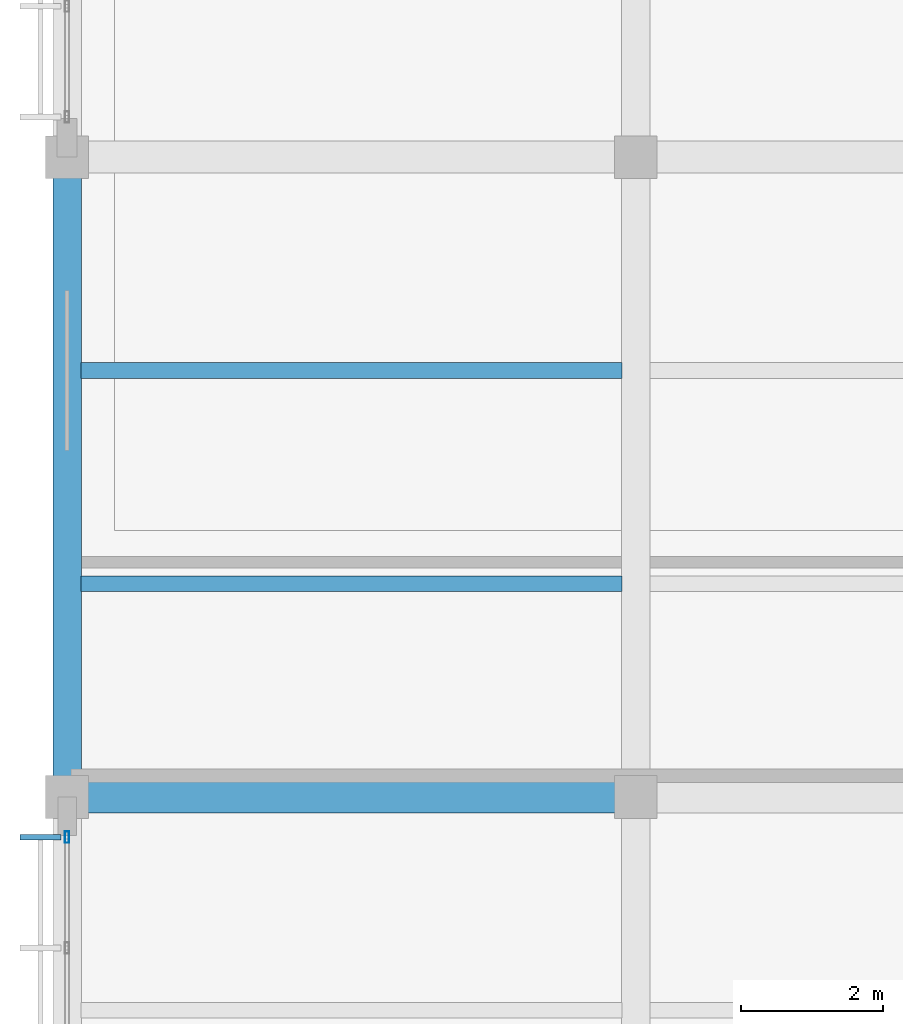
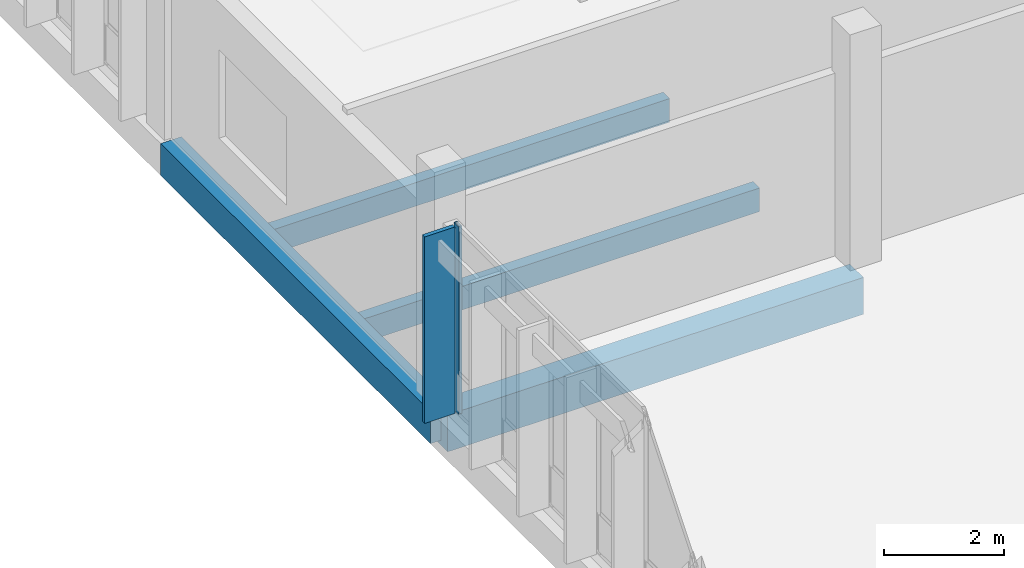
# One storey, part 75 of 177: 4 beams, 2 members, 1 element without a shape of its own.
"""IFC4 building model written with IfcOpenShell, lengths in metres."""

from ifc_helpers import new_model, si_unit, direction, frame, origin, origin_2d, place, context, subcontext, project, spatial, rectangle, hollow_rectangle, extrude, material, material_profile, profile_set, type_object, element, aggregate, save


model = new_model("IFC4")

# Units and contexts
model_context = context("Model", 3, precision=1e-05, world=origin(), true_north=direction((0.0, 1.0)))
body_context = subcontext(model_context, "Body", "Model", "MODEL_VIEW")
ifc_project = project(units=[si_unit("LENGTHUNIT", "METRE"), si_unit("AREAUNIT", "SQUARE_METRE"), si_unit("VOLUMEUNIT", "CUBIC_METRE"), si_unit("PLANEANGLEUNIT", "RADIAN"), si_unit("MASSUNIT", "GRAM", prefix="KILO")], contexts=[model_context])

# Site, building, storey
site_placement = place(None, origin())
site = spatial("IfcSite", under=ifc_project, at=site_placement, CompositionType="ELEMENT")
building_placement = place(site_placement, origin())
building = spatial("IfcBuilding", under=site, at=building_placement, Name="Chiffa Square Polytechnic", CompositionType="ELEMENT")
storey_placement = place(building_placement, frame((0.0, 0.0, 4.800048828125)))
storey = spatial("IfcBuildingStorey", under=building, at=storey_placement, Name="L01", CompositionType="ELEMENT", Elevation=4.800048828125)

# Beams
ifc_material_1 = material(Name="Concrete C35/45", Category="concrete")
ifc_material_profile_1 = material_profile(ifc_material_1, rectangle(XDim=0.39990234375, YDim=0.64990234375, at=origin_2d()), Name="RC 400x650")
ifc_profile_set_1 = profile_set([ifc_material_profile_1], Name="Concrete C35/45")
beam_type_1 = type_object("IfcBeamType", Name="BM-RC-400X650", PredefinedType="BEAM", material=ifc_profile_set_1)
beam_1_placement = place(storey_placement, frame((0.0, 112.800048828125, -0.60498046875), z_axis=(0.0, 1.0, 0.0), x_axis=(-1.0, 0.0, 0.0)))
element("IfcBeam", 1, at=beam_1_placement, inside=storey, type_object=beam_type_1, Name="Primary floor girder BM-V5-L01-Y-0000-1128", PredefinedType="BEAM", context=body_context, shape_type="SweptSolid", body=[
    extrude(rectangle(XDim=0.39990234375, YDim=0.64990234375, at=origin_2d()), origin(), (0.0, 0.0, 1.0), 9.0),
])
ifc_material_profile_2 = material_profile(ifc_material_1, rectangle(XDim=0.449951171875, YDim=0.75, at=origin_2d()), Name="RC 450x750")
ifc_profile_set_2 = profile_set([ifc_material_profile_2], Name="Concrete C35/45")
beam_type_2 = type_object("IfcBeamType", Name="BM-RC-450X750", PredefinedType="BEAM", material=ifc_profile_set_2)
beam_2_placement = place(storey_placement, frame((0.0, 112.800048828125, -0.655029296875), z_axis=(1.0, 0.0, 0.0), x_axis=(0.0, 1.0, 0.0)))
element("IfcBeam", 2, at=beam_2_placement, inside=storey, type_object=beam_type_2, Name="Primary floor girder BM-V5-L01-X-0000-1128", PredefinedType="BEAM", context=body_context, shape_type="SweptSolid", body=[
    extrude(rectangle(XDim=0.449951171875, YDim=0.75, at=origin_2d()), origin(), (0.0, 0.0, 1.0), 8.0),
])

# Curtain wall, members
ifc_material_2 = material(Name="Aluminium EN AW-6060 T66 and glulam shading", Category="wood")
curtain_wall_type = type_object("IfcCurtainWallType", Name="CW-VERT-600X380", PredefinedType="USERDEFINED", material=ifc_material_2)
curtain_wall_placement = place(storey_placement, origin())
curtain_wall = element("IfcCurtainWall", 3, at=curtain_wall_placement, inside=storey, type_object=curtain_wall_type, Name="Curtain wall CW-V5-L01-212", ObjectType="CURTAIN WALL", PredefinedType="USERDEFINED")
ifc_material_3 = material(Name="Aluminium EN AW-6060 T66", Category="aluminium")
ifc_material_profile_3 = material_profile(ifc_material_3, hollow_rectangle(XDim=0.06005859375, YDim=0.159912109375, WallThickness=0.00390625, at=origin_2d()), Name="ALU 60x160x4")
ifc_profile_set_3 = profile_set([ifc_material_profile_3], Name="Aluminium EN AW-6060 T66")
member_type_1 = type_object("IfcMemberType", Name="CWM-ALU-65X150", PredefinedType="MULLION", material=ifc_profile_set_3)
member_1_placement = place(storey_placement, frame((0.0, 112.235107421875, 0.0), z_axis=(0.0, 0.0, 1.0), x_axis=(1.0, 0.0, 0.0)))
member_1 = element("IfcMember", 4, at=member_1_placement, type_object=member_type_1, Name="Curtain wall mullion CW-V5-L01-212-M00", PredefinedType="MULLION", context=body_context, shape_type="SweptSolid", body=[
    extrude(hollow_rectangle(XDim=0.06005859375, YDim=0.159912109375, WallThickness=0.00390625, at=origin_2d()), origin(), (0.0, 0.0, 1.0), 3.81494140625),
])
ifc_material_4 = material(Name="Glulam GL28h", Category="wood")
ifc_material_profile_4 = material_profile(ifc_material_4, rectangle(XDim=0.080078125, YDim=0.580078125, at=origin_2d()), Name="GL28h 80x580")
ifc_profile_set_4 = profile_set([ifc_material_profile_4], Name="Glulam GL28h")
member_type_2 = type_object("IfcMemberType", Name="CWM-GL-80X580", PredefinedType="MULLION", material=ifc_profile_set_4)
member_2_placement = place(storey_placement, frame((-0.3720703125, 112.235107421875, 0.010009765625), z_axis=(0.0, 0.0, 1.0), x_axis=(0.0, -1.0, 0.0)))
member_2 = element("IfcMember", 5, at=member_2_placement, type_object=member_type_2, Name="Exterior glulam solar fin CW-V5-L01-212-FN00", PredefinedType="MULLION", context=body_context, shape_type="SweptSolid", body=[
    extrude(rectangle(XDim=0.080078125, YDim=0.580078125, at=origin_2d()), origin(), (0.0, 0.0, 1.0), 3.794921875),
])
aggregate(curtain_wall, [member_1, member_2])

# Beams
ifc_material_profile_5 = material_profile(ifc_material_4, rectangle(XDim=0.219970703125, YDim=0.47998046875, at=origin_2d()), Name="GL28h 220x480")
ifc_profile_set_5 = profile_set([ifc_material_profile_5], Name="Glulam GL28h")
beam_type_3 = type_object("IfcBeamType", Name="JST-GL-220X480", PredefinedType="JOIST", material=ifc_profile_set_5)
for number, where, z_axis, x_axis, name in (
    (6, (0.197998046875, 115.800048828125, -0.52001953125), (1.0, 0.0, 0.0), (0.0, 1.0, 0.0), "Secondary floor joist JST-V5-L01-0000-1158"),
    (7, (0.197998046875, 118.800048828125, -0.52001953125), (1.0, 0.0, 0.0), (0.0, 1.0, 0.0), "Secondary floor joist JST-V5-L01-0000-1188"),
):
    element("IfcBeam", number, at=place(storey_placement, frame(where, z_axis=z_axis, x_axis=x_axis)), inside=storey, type_object=beam_type_3, Name=name, PredefinedType="JOIST", context=body_context, shape_type="SweptSolid", body=[
        extrude(rectangle(XDim=0.219970703125, YDim=0.47998046875, at=origin_2d()), origin(), (0.0, 0.0, 1.0), 7.60400390625),
    ])

save(model, "model.ifc")
